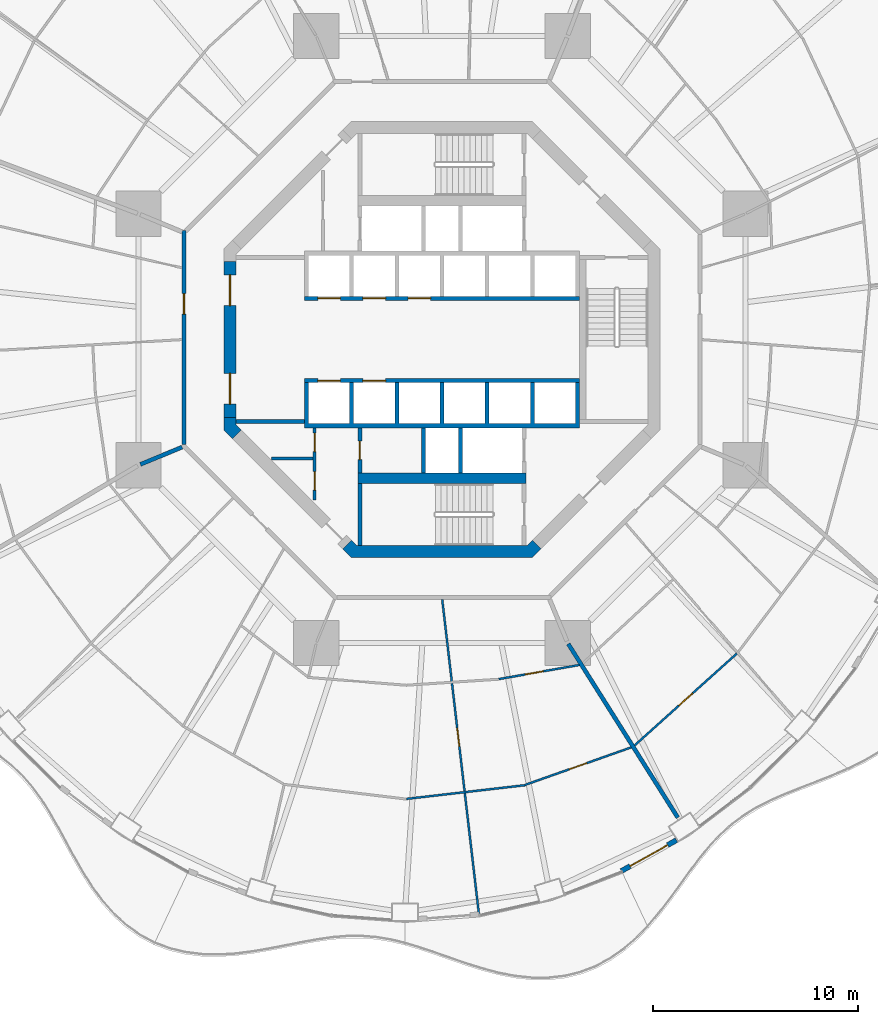
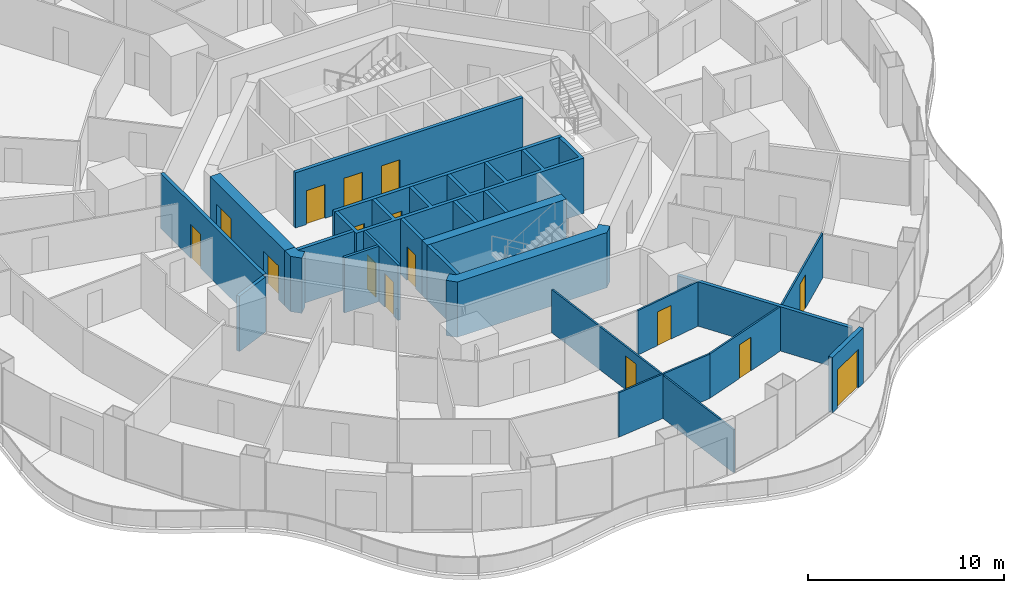
# One storey, part 15 of 22: 23 walls, 16 doors, 16 openings.
"""IFC4 building model written with IfcOpenShell, lengths in metres."""

import ifcopenshell
import ifcopenshell.guid

model = None  # the IFC model being written
_history = None  # IfcOwnerHistory: only IFC2X3 demands one
_inside = {}  # id of a spatial element -> (the spatial element, [elements in it])
_under = {}  # id of a project, library or spatial element -> (it, [spatial elements below it])
_declared = {}  # id of a project -> (the project, [libraries it declares])
_typed = {}  # id of a type object -> (the type object, [elements of that type])
_made_of = {}  # id of a material, layer set ... -> (it, [elements and type objects made of it])


def new_model(schema):
    """Start an empty IFC model of exactly this schema.

    Asked for "IFC4X3", IfcOpenShell would pick the latest addendum, in which some entities
    have other attributes; the version numbers below select the first issue.
    IFC2X3 requires an IfcOwnerHistory on every rooted entity: one is made here for all.
    """
    global model, _history
    if schema == "IFC4X3":
        model = ifcopenshell.file(schema_version=(4, 3, 0, 0))
    else:
        model = ifcopenshell.file(schema=schema)
    _inside.clear()
    _under.clear()
    _declared.clear()
    _typed.clear()
    _made_of.clear()
    _history = None
    if model.schema == "IFC2X3":
        org = make("IfcOrganization", Name="unknown")
        user = make(
            "IfcPersonAndOrganization",
            ThePerson=make("IfcPerson", FamilyName="unknown"),
            TheOrganization=org,
        )
        app = make(
            "IfcApplication",
            ApplicationDeveloper=org,
            Version="unknown",
            ApplicationFullName="unknown",
            ApplicationIdentifier="unknown",
        )
        _history = make(
            "IfcOwnerHistory",
            OwningUser=user,
            OwningApplication=app,
            ChangeAction="ADDED",
            CreationDate=0,
        )
    return model


def make(cls, **values):
    """One entity of the class cls with the attributes given. An attribute that is None is left unset."""
    return model.create_entity(
        cls, **{name: value for name, value in values.items() if value is not None}
    )


def rooted(cls, **values):
    """An entity with a GlobalId (a new one), such as an element, a storey or a relation."""
    return make(cls, GlobalId=ifcopenshell.guid.new(), OwnerHistory=_history, **values)


def si_unit(unit_type, name, prefix=None):
    """IfcSIUnit, for example si_unit("LENGTHUNIT", "METRE", prefix="MILLI")."""
    return make("IfcSIUnit", UnitType=unit_type, Prefix=prefix, Name=name)


def assignment(units):
    """IfcUnitAssignment: the units of a project."""
    return None if units is None else make("IfcUnitAssignment", Units=units)


def point(xyz):
    """IfcCartesianPoint."""
    return None if xyz is None else make("IfcCartesianPoint", Coordinates=xyz)


def direction(xyz):
    """IfcDirection."""
    return None if xyz is None else make("IfcDirection", DirectionRatios=xyz)


def frame(location, z_axis=None, x_axis=None):
    """IfcAxis2Placement3D, a coordinate frame: its origin and axes. An axis left out is left unset."""
    return make(
        "IfcAxis2Placement3D",
        Location=point(location),
        Axis=direction(z_axis),
        RefDirection=direction(x_axis),
    )


def frame_2d(location, x_axis=None):
    """IfcAxis2Placement2D, a coordinate frame in the plane: its origin and x axis."""
    return make(
        "IfcAxis2Placement2D", Location=point(location), RefDirection=direction(x_axis)
    )


def origin():
    """The frame at (0, 0, 0) with its axes left unset."""
    return frame((0.0, 0.0, 0.0))


def place(relative_to, where):
    """IfcLocalPlacement: puts the frame where relative to a parent placement (None: the world)."""
    return make(
        "IfcLocalPlacement", PlacementRelTo=relative_to, RelativePlacement=where
    )


def context(
    kind, dimensions, precision=None, world=None, true_north=None, identifier=None
):
    """IfcGeometricRepresentationContext, for example the 3D "Model" context."""
    return make(
        "IfcGeometricRepresentationContext",
        ContextIdentifier=identifier,
        ContextType=kind,
        CoordinateSpaceDimension=dimensions,
        Precision=precision,
        WorldCoordinateSystem=world,
        TrueNorth=true_north,
    )


def subcontext(parent, identifier, kind, view, scale=None):
    """IfcGeometricRepresentationSubContext, for example "Body" below "Model"."""
    return make(
        "IfcGeometricRepresentationSubContext",
        ContextIdentifier=identifier,
        ContextType=kind,
        ParentContext=parent,
        TargetScale=scale,
        TargetView=view,
    )


def project(units=None, contexts=None):
    """IfcProject with its units and contexts."""
    return rooted(
        "IfcProject",
        Name="project",
        RepresentationContexts=contexts,
        UnitsInContext=assignment(units),
    )


def spatial(cls, under=None, at=None, **own):
    """A site, building, storey or space (cls), placed at a placement, below another one or the project."""
    s = rooted(cls, ObjectPlacement=at, **own)
    if under is not None:
        _under.setdefault(under.id(), (under, []))[1].append(s)
    return s


def polyline(points):
    """IfcPolyline through the points."""
    return make("IfcPolyline", Points=[point(p) for p in points])


def profile(cls, at=None, kind="AREA", **sizes):
    """A parametric profile (cls). Its sizes go by their IFC names, for example OverallWidth=200.0."""
    return make(cls, ProfileType=kind, Position=at, **sizes)


def rectangle(**sizes):
    """IfcRectangleProfileDef."""
    return profile("IfcRectangleProfileDef", **sizes)


def outline(outer, holes=None, kind="AREA"):
    """IfcArbitraryClosedProfileDef: a profile drawn as a closed curve; with holes, ...WithVoids."""
    if holes is None:
        return make("IfcArbitraryClosedProfileDef", ProfileType=kind, OuterCurve=outer)
    return make(
        "IfcArbitraryProfileDefWithVoids",
        ProfileType=kind,
        OuterCurve=outer,
        InnerCurves=holes,
    )


def extrude(swept, where, along, depth):
    """IfcExtrudedAreaSolid: the profile swept, set in the frame where, extruded along a direction by depth."""
    return make(
        "IfcExtrudedAreaSolid",
        SweptArea=swept,
        Position=where,
        ExtrudedDirection=direction(along),
        Depth=depth,
    )


def shape(context_of_items, identifier, shape_type, items):
    """IfcShapeRepresentation: the items that make up one representation, for example the "Body"."""
    return make(
        "IfcShapeRepresentation",
        ContextOfItems=context_of_items,
        RepresentationIdentifier=identifier,
        RepresentationType=shape_type,
        Items=items,
    )


def material(Name=None, Category=None):
    """IfcMaterial."""
    return make("IfcMaterial", Name=Name, Category=Category)


def layer(
    of_material, thickness, ventilated=None, Name=None, Category=None, Priority=None
):
    """IfcMaterialLayer: one layer of a wall or slab, of a material (None: an air gap)."""
    return make(
        "IfcMaterialLayer",
        Material=of_material,
        LayerThickness=thickness,
        IsVentilated=ventilated,
        Name=Name,
        Category=Category,
        Priority=Priority,
    )


def layer_set(layers, Name=None):
    """IfcMaterialLayerSet."""
    return make("IfcMaterialLayerSet", MaterialLayers=layers, LayerSetName=Name)


def made_of(thing, what):
    """Note that an element or type object is made of a material, layer set ...; save() writes the relation."""
    if what is not None:
        _made_of.setdefault(what.id(), (what, []))[1].append(thing)
    return thing


def type_object(cls, material=None, **own):
    """A type object (cls), such as IfcWallType, which elements share."""
    return made_of(rooted(cls, **own), material)


def element(
    cls,
    number,
    at=None,
    inside=None,
    cuts=None,
    type_object=None,
    material=None,
    context=None,
    identifier="Body",
    shape_type=None,
    held_by="IfcProductDefinitionShape",
    body=None,
    shapes=None,
    **own,
):
    """One element of the class cls, such as IfcWall. Its Tag is "e" and its number.

    at: its placement. inside: the storey or other place that contains it. cuts: it is an
    opening in that element (IfcRelVoidsElement). A single representation is given by context,
    identifier, shape_type and body (its items); several are given by shapes. held_by: the class
    of the entity that holds the representations. save() writes the other relations.
    """
    e = rooted(cls, Tag="e%d" % number, ObjectPlacement=at, **own)
    if body is not None:
        shapes = [shape(context, identifier, shape_type, body)]
    if shapes is not None:
        e.Representation = make(held_by, Representations=shapes)
    if inside is not None:
        _inside.setdefault(inside.id(), (inside, []))[1].append(e)
    if cuts is not None:
        rooted(
            "IfcRelVoidsElement", RelatingBuildingElement=cuts, RelatedOpeningElement=e
        )
    if type_object is not None:
        _typed.setdefault(type_object.id(), (type_object, []))[1].append(e)
    return made_of(e, material)


def fill(opening, filler):
    """IfcRelFillsElement: the door or window that sits in an opening."""
    return rooted(
        "IfcRelFillsElement",
        RelatingOpeningElement=opening,
        RelatedBuildingElement=filler,
    )


def aggregate(whole, parts):
    """IfcRelAggregates: a whole, such as a stair, and the parts it consists of."""
    return rooted("IfcRelAggregates", RelatingObject=whole, RelatedObjects=parts)


def save(model, path):
    """Write the relations noted so far, then the file.

    IfcRelAggregates (storeys below a building ...), IfcRelContainedInSpatialStructure (elements
    in a storey), IfcRelDefinesByType, IfcRelAssociatesMaterial and IfcRelDeclares: one each for
    every whole, place, type object, material and project.
    """
    for whole, parts in _under.values():
        aggregate(whole, parts)
    for where, things in _inside.values():
        rooted(
            "IfcRelContainedInSpatialStructure",
            RelatedElements=things,
            RelatingStructure=where,
        )
    for kind, things in _typed.values():
        rooted("IfcRelDefinesByType", RelatedObjects=things, RelatingType=kind)
    for what, things in _made_of.values():
        rooted("IfcRelAssociatesMaterial", RelatedObjects=things, RelatingMaterial=what)
    for by, libraries in _declared.values():
        rooted("IfcRelDeclares", RelatingContext=by, RelatedDefinitions=libraries)
    model.write(path)


model = new_model("IFC4")

# Units and contexts
model_context = context("Model", 3, precision=1e-05, world=origin(), true_north=direction((0.0, 1.0)))
body_context = subcontext(model_context, "Body", "Model", "MODEL_VIEW")
ifc_project = project(units=[si_unit("LENGTHUNIT", "METRE"), si_unit("AREAUNIT", "SQUARE_METRE"), si_unit("VOLUMEUNIT", "CUBIC_METRE"), si_unit("PLANEANGLEUNIT", "RADIAN"), si_unit("MASSUNIT", "GRAM", prefix="KILO")], contexts=[model_context])

# Site, building, storey
site_placement = place(None, origin())
site = spatial("IfcSite", under=ifc_project, at=site_placement, CompositionType="ELEMENT")
building_placement = place(site_placement, origin())
building = spatial("IfcBuilding", under=site, at=building_placement, Name="Nagisa Residences", CompositionType="ELEMENT")
storey_placement = place(building_placement, frame((0.0, 0.0, 88.10009765625)))
storey = spatial("IfcBuildingStorey", under=building, at=storey_placement, Name="L21", CompositionType="ELEMENT", Elevation=88.10009765625)

# Walls
ifc_material_1 = material(Name="Gypsum board on steel studs", Category="steel")
ifc_layer_1 = layer(ifc_material_1, 0.199951171875)
ifc_layer_set_1 = layer_set([ifc_layer_1], Name="Apartment compartment wall EI60 200")
wall_type_1 = type_object("IfcWallType", Name="Apartment compartment wall EI60 200", PredefinedType="PARTITIONING", material=ifc_layer_set_1)
wall_1_placement = place(storey_placement, frame((-12.6572265625, -5.24267578125, 0.0), z_axis=(0.0, 0.0, 1.0), x_axis=(-0.923876145736, -0.382691608661, 0.0)))
element("IfcWall", 1, at=wall_1_placement, inside=storey, type_object=wall_type_1, Name="wall:L21:u04", PredefinedType="PARTITIONING", context=body_context, shape_type="SweptSolid", body=[
    extrude(rectangle(XDim=2.19970703125, YDim=0.199951171875, at=frame_2d((1.099853515625, 0.0))), origin(), (0.0, 0.0, 1.0), 3.43994140625),
])
wall_2_placement = place(storey_placement, frame((6.149658203125, -14.824462890625, 0.0), z_axis=(0.0, 0.0, 1.0), x_axis=(0.533492589682, -0.845804739142, 0.0)))
element("IfcWall", 2, at=wall_2_placement, inside=storey, type_object=wall_type_1, Name="wall:L21:u07", PredefinedType="PARTITIONING", context=body_context, shape_type="SweptSolid", body=[
    extrude(rectangle(XDim=10.006103515625, YDim=0.199951171875, at=frame_2d((5.0029296875, 0.0))), origin(), (0.0, 0.0, 1.0), 2.761962890625),
])

# Wall, opening, door
ifc_material_2 = material(Name="Gypsum board on steel studs", Category="steel")
ifc_layer_2 = layer(ifc_material_2, 0.199951171875)
ifc_layer_set_2 = layer_set([ifc_layer_2], Name="Apartment entry wall EI60 200")
wall_type_2 = type_object("IfcWallType", Name="Apartment entry wall EI60 200", PredefinedType="PARTITIONING", material=ifc_layer_set_2)
wall_3_placement = place(storey_placement, frame((-12.564697265625, 5.304443359375, 0.0), z_axis=(0.0, 0.0, 1.0), x_axis=(0.0, -1.0, 0.0)))
wall_3 = element("IfcWall", 3, at=wall_3_placement, inside=storey, type_object=wall_type_2, Name="wall:L21:u14", PredefinedType="PARTITIONING", context=body_context, shape_type="SweptSolid", body=[
    extrude(rectangle(XDim=10.408935546875, YDim=0.199951171875, at=frame_2d((5.20458984375, 0.0))), origin(), (0.0, 0.0, 1.0), 3.43994140625),
])
opening_1_placement = place(wall_3_placement, frame((3.069580078125, 0.0, 0.0)))
opening_1 = element("IfcOpeningElement", 4, at=opening_1_placement, cuts=wall_3, Name="Opening L21-U17", PredefinedType="OPENING", context=body_context, shape_type="SweptSolid", body=[
    extrude(rectangle(XDim=1.0, YDim=2.10009765625, at=frame_2d((0.5, 1.050048828125))), frame((0.0, 0.10986328125, 0.0), z_axis=(0.0, -1.0, 0.0), x_axis=(1.0, 0.0, 0.0)), (0.0, 0.0, 1.0), 0.219970703125),
])
ifc_material_3 = material(Name="Timber fire door set", Category="wood")
door_type_1 = type_object("IfcDoorType", Name="Apartment entry door FD30S 1000x2100", OperationType="NOTDEFINED", PredefinedType="DOOR", material=ifc_material_3)
door_1_placement = place(opening_1_placement, frame((1.0, 0.0, 0.0), x_axis=(-1.0, 0.0, 0.0)))
door_1 = element("IfcDoor", 5, at=door_1_placement, inside=storey, type_object=door_type_1, Name="Entry door, Apartment 21B", OperationType="SINGLE_SWING_RIGHT", OverallHeight=2.10009765625, OverallWidth=1.0, PredefinedType="DOOR", context=body_context, shape_type="SweptSolid", body=[
    extrude(rectangle(XDim=1.0, YDim=2.10009765625, at=frame_2d((0.5, 1.050048828125))), frame((0.0, 0.02490234375, 0.0), z_axis=(0.0, -1.0, 0.0), x_axis=(1.0, 0.0, 0.0)), (0.0, 0.0, 1.0), 0.050048828125),
])
fill(opening_1, door_1)

# Wall
ifc_material_4 = material(Name="Gypsum board on steel studs", Category="steel")
ifc_layer_3 = layer(ifc_material_4, 0.10009765625)
ifc_layer_set_3 = layer_set([ifc_layer_3], Name="Apartment partition 100")
wall_type_3 = type_object("IfcWallType", Name="Apartment partition 100", PredefinedType="PARTITIONING", material=ifc_layer_set_3)
wall_4_placement = place(storey_placement, frame((-1.7255859375, -22.375244140625, 0.0), z_axis=(0.0, 0.0, 1.0), x_axis=(0.993392336919, 0.114767874207, 0.0)))
element("IfcWall", 6, at=wall_4_placement, inside=storey, type_object=wall_type_3, Name="wall:L21:u79", PredefinedType="PARTITIONING", context=body_context, shape_type="SweptSolid", body=[
    extrude(rectangle(XDim=5.801025390625, YDim=0.10009765625, at=frame_2d((2.900390625, 0.0))), origin(), (0.0, 0.0, 1.0), 2.761962890625),
])

# Wall, opening, door
wall_5_placement = place(storey_placement, frame((0.011474609375, -12.6640625, 0.0), z_axis=(0.0, 0.0, 1.0), x_axis=(0.115841404661, -0.993267722704, 0.0)))
wall_5 = element("IfcWall", 7, at=wall_5_placement, inside=storey, type_object=wall_type_3, Name="wall:L21:u80", PredefinedType="PARTITIONING", context=body_context, shape_type="SweptSolid", body=[
    extrude(rectangle(XDim=15.5283203125, YDim=0.10009765625, at=frame_2d((7.76416015625, 0.0))), origin(), (0.0, 0.0, 1.0), 2.68701171875),
])
opening_2_placement = place(wall_5_placement, frame((6.302734375, 0.0, 0.0)))
opening_2 = element("IfcOpeningElement", 8, at=opening_2_placement, cuts=wall_5, Name="Opening L21-U33", PredefinedType="OPENING", context=body_context, shape_type="SweptSolid", body=[
    extrude(rectangle(XDim=0.89990234375, YDim=2.10009765625, at=frame_2d((0.449951171875, 1.050048828125))), frame((0.0, 0.06005859375, 0.0), z_axis=(0.0, -1.0, 0.0), x_axis=(1.0, 0.0, 0.0)), (0.0, 0.0, 1.0), 0.1201171875),
])
ifc_material_5 = material(Name="Timber door set", Category="wood")
door_type_2 = type_object("IfcDoorType", Name="Apartment door 900x2100", OperationType="NOTDEFINED", PredefinedType="DOOR", material=ifc_material_5)
door_2_placement = place(opening_2_placement, origin())
door_2 = element("IfcDoor", 9, at=door_2_placement, inside=storey, type_object=door_type_2, Name="Door to kitchen, Apartment 21C", OperationType="SINGLE_SWING_LEFT", OverallHeight=2.10009765625, OverallWidth=0.89990234375, PredefinedType="DOOR", context=body_context, shape_type="SweptSolid", body=[
    extrude(rectangle(XDim=0.89990234375, YDim=2.10009765625, at=frame_2d((0.449951171875, 1.050048828125))), frame((0.0, 0.02490234375, 0.0), z_axis=(0.0, -1.0, 0.0), x_axis=(1.0, 0.0, 0.0)), (0.0, 0.0, 1.0), 0.050048828125),
])
fill(opening_2, door_2)

wall_6_placement = place(storey_placement, frame((2.76513671875, -16.541015625, 0.0), z_axis=(0.0, 0.0, 1.0), x_axis=(0.984998714702, 0.172561676036, 0.0)))
wall_6 = element("IfcWall", 10, at=wall_6_placement, inside=storey, type_object=wall_type_3, Name="wall:L21:u81", PredefinedType="PARTITIONING", context=body_context, shape_type="SweptSolid", body=[
    extrude(rectangle(XDim=3.984130859375, YDim=0.10009765625, at=frame_2d((1.9921875, 0.0))), origin(), (0.0, 0.0, 1.0), 2.761962890625),
])
opening_3_placement = place(wall_6_placement, frame((1.3037109375, 0.0, 0.0)))
opening_3 = element("IfcOpeningElement", 11, at=opening_3_placement, cuts=wall_6, Name="Opening L21-U36", PredefinedType="OPENING", context=body_context, shape_type="SweptSolid", body=[
    extrude(rectangle(XDim=0.89990234375, YDim=2.10009765625, at=frame_2d((0.449951171875, 1.050048828125))), frame((0.0, 0.06005859375, 0.0), z_axis=(0.0, -1.0, 0.0), x_axis=(1.0, 0.0, 0.0)), (0.0, 0.0, 1.0), 0.1201171875),
])
door_3_placement = place(opening_3_placement, origin())
door_3 = element("IfcDoor", 12, at=door_3_placement, inside=storey, type_object=door_type_2, Name="Door to laundry, Apartment 21C", OperationType="SINGLE_SWING_RIGHT", OverallHeight=2.10009765625, OverallWidth=0.89990234375, PredefinedType="DOOR", context=body_context, shape_type="SweptSolid", body=[
    extrude(rectangle(XDim=0.89990234375, YDim=2.10009765625, at=frame_2d((0.449951171875, 1.050048828125))), frame((0.0, 0.02490234375, 0.0), z_axis=(0.0, -1.0, 0.0), x_axis=(1.0, 0.0, 0.0)), (0.0, 0.0, 1.0), 0.050048828125),
])
fill(opening_3, door_3)

wall_7_placement = place(storey_placement, frame((4.034423828125, -21.698486328125, 0.0), z_axis=(0.0, 0.0, 1.0), x_axis=(0.942861482644, 0.33318497047, 0.0)))
wall_7 = element("IfcWall", 13, at=wall_7_placement, inside=storey, type_object=wall_type_3, Name="wall:L21:u82", PredefinedType="PARTITIONING", context=body_context, shape_type="SweptSolid", body=[
    extrude(rectangle(XDim=5.494873046875, YDim=0.10009765625, at=frame_2d((2.74755859375, 0.0))), origin(), (0.0, 0.0, 1.0), 2.761962890625),
])
opening_4_placement = place(wall_7_placement, frame((2.29736328125, 0.0, 0.0)))
opening_4 = element("IfcOpeningElement", 14, at=opening_4_placement, cuts=wall_7, Name="Opening L21-U34", PredefinedType="OPENING", context=body_context, shape_type="SweptSolid", body=[
    extrude(rectangle(XDim=0.89990234375, YDim=2.10009765625, at=frame_2d((0.449951171875, 1.050048828125))), frame((0.0, 0.06005859375, 0.0), z_axis=(0.0, -1.0, 0.0), x_axis=(1.0, 0.0, 0.0)), (0.0, 0.0, 1.0), 0.1201171875),
])
door_4_placement = place(opening_4_placement, frame((0.89990234375, 0.0, 0.0), x_axis=(-1.0, 0.0, 0.0)))
door_4 = element("IfcDoor", 15, at=door_4_placement, inside=storey, type_object=door_type_2, Name="Door to family room, Apartment 21C", OperationType="SINGLE_SWING_LEFT", OverallHeight=2.10009765625, OverallWidth=0.89990234375, PredefinedType="DOOR", context=body_context, shape_type="SweptSolid", body=[
    extrude(rectangle(XDim=0.89990234375, YDim=2.10009765625, at=frame_2d((0.449951171875, 1.050048828125))), frame((0.0, 0.02490234375, 0.0), z_axis=(0.0, -1.0, 0.0), x_axis=(1.0, 0.0, 0.0)), (0.0, 0.0, 1.0), 0.050048828125),
])
fill(opening_4, door_4)

wall_8_placement = place(storey_placement, frame((9.384033203125, -19.767578125, 0.0), z_axis=(0.0, 0.0, 1.0), x_axis=(0.74387407395, 0.668319805262, 0.0)))
wall_8 = element("IfcWall", 16, at=wall_8_placement, inside=storey, type_object=wall_type_3, Name="wall:L21:u84", PredefinedType="PARTITIONING", context=body_context, shape_type="SweptSolid", body=[
    extrude(rectangle(XDim=6.6953125, YDim=0.10009765625, at=frame_2d((3.34765625, 0.0))), origin(), (0.0, 0.0, 1.0), 2.761962890625),
])
opening_5_placement = place(wall_8_placement, frame((2.897705078125, 0.0, 0.0)))
opening_5 = element("IfcOpeningElement", 17, at=opening_5_placement, cuts=wall_8, Name="Opening L21-U42", PredefinedType="OPENING", context=body_context, shape_type="SweptSolid", body=[
    extrude(rectangle(XDim=0.89990234375, YDim=2.10009765625, at=frame_2d((0.449951171875, 1.050048828125))), frame((0.0, 0.06005859375, 0.0), z_axis=(0.0, -1.0, 0.0), x_axis=(1.0, 0.0, 0.0)), (0.0, 0.0, 1.0), 0.1201171875),
])
door_5_placement = place(opening_5_placement, frame((0.89990234375, 0.0, 0.0), x_axis=(-1.0, 0.0, 0.0)))
door_5 = element("IfcDoor", 18, at=door_5_placement, inside=storey, type_object=door_type_2, Name="Door to family room, Apartment 21D", OperationType="SINGLE_SWING_LEFT", OverallHeight=2.10009765625, OverallWidth=0.89990234375, PredefinedType="DOOR", context=body_context, shape_type="SweptSolid", body=[
    extrude(rectangle(XDim=0.89990234375, YDim=2.10009765625, at=frame_2d((0.449951171875, 1.050048828125))), frame((0.0, 0.02490234375, 0.0), z_axis=(0.0, -1.0, 0.0), x_axis=(1.0, 0.0, 0.0)), (0.0, 0.0, 1.0), 0.050048828125),
])
fill(opening_5, door_5)

ifc_material_6 = material(Name="Precast concrete C40/50", Category="concrete")
ifc_layer_4 = layer(ifc_material_6, 0.25)
ifc_layer_set_4 = layer_set([ifc_layer_4], Name="BALCONY DOOR WALL 250")
wall_type_4 = type_object("IfcWallType", Name="BALCONY DOOR WALL 250", PredefinedType="SOLIDWALL", material=ifc_layer_set_4)
wall_9_placement = place(storey_placement, frame((11.41943359375, -24.38427734375, 0.0), z_axis=(0.0, 0.0, 1.0), x_axis=(-0.872071158476, -0.489379090843, 0.0)))
wall_9 = element("IfcWall", 19, at=wall_9_placement, inside=storey, type_object=wall_type_4, Name="wall:L21:bay39", PredefinedType="SOLIDWALL", context=body_context, shape_type="SweptSolid", body=[
    extrude(rectangle(XDim=3.07568359375, YDim=0.25, at=frame_2d((1.537841796875, 0.0))), origin(), (0.0, 0.0, 1.0), 3.43994140625),
])
opening_6_placement = place(wall_9_placement, frame((0.48779296875, 0.0, 0.0)))
opening_6 = element("IfcOpeningElement", 20, at=opening_6_placement, cuts=wall_9, Name="Opening BD-L21-14", PredefinedType="OPENING", context=body_context, shape_type="SweptSolid", body=[
    extrude(rectangle(XDim=2.10009765625, YDim=2.39990234375, at=frame_2d((1.050048828125, 1.199951171875))), frame((0.0, 0.135009765625, 0.0), z_axis=(0.0, -1.0, 0.0), x_axis=(1.0, 0.0, 0.0)), (0.0, 0.0, 1.0), 0.27001953125),
])
ifc_material_7 = material(Name="Aluminium and clear glass", Category="aluminium")
door_type_3 = type_object("IfcDoorType", Name="BALCONY SLIDING DOOR 2100x2400", OperationType="SLIDING_TO_LEFT", PredefinedType="DOOR", material=ifc_material_7)
door_6_placement = place(opening_6_placement, origin())
door_6 = element("IfcDoor", 21, at=door_6_placement, inside=storey, type_object=door_type_3, Name="door:L21:bay39", OperationType="SLIDING_TO_LEFT", OverallHeight=2.39990234375, OverallWidth=2.10009765625, PredefinedType="DOOR", context=body_context, shape_type="SweptSolid", body=[
    extrude(rectangle(XDim=2.10009765625, YDim=2.39990234375, at=frame_2d((1.050048828125, 1.199951171875))), frame((0.0, 0.02490234375, 0.0), z_axis=(0.0, -1.0, 0.0), x_axis=(1.0, 0.0, 0.0)), (0.0, 0.0, 1.0), 0.050048828125),
])
fill(opening_6, door_6)

# Wall, openings, doors
ifc_material_8 = material(Name="Gypsum board on steel studs", Category="steel")
ifc_layer_5 = layer(ifc_material_8, 0.14990234375)
ifc_layer_set_5 = layer_set([ifc_layer_5], Name="Core partition 150")
wall_type_5 = type_object("IfcWallType", Name="Core partition 150", PredefinedType="PARTITIONING", material=ifc_layer_set_5)
wall_10_placement = place(storey_placement, frame((-6.199951171875, -7.826904296875, 0.0), z_axis=(0.0, 0.0, 1.0), x_axis=(0.0, 1.0, 0.0)))
wall_10 = element("IfcWall", 22, at=wall_10_placement, inside=storey, type_object=wall_type_5, Name="wall:L21:SWp", PredefinedType="PARTITIONING", context=body_context, shape_type="SweptSolid", body=[
    extrude(rectangle(XDim=3.52685546875, YDim=0.14990234375, at=frame_2d((1.763427734375, 0.0))), origin(), (0.0, 0.0, 1.0), 3.43994140625),
])
opening_7_placement = place(wall_10_placement, frame((2.364501953125, 0.0, 0.0)))
opening_7 = element("IfcOpeningElement", 23, at=opening_7_placement, cuts=wall_10, Name="Opening L21-C13", PredefinedType="OPENING", context=body_context, shape_type="SweptSolid", body=[
    extrude(rectangle(XDim=0.89990234375, YDim=2.10009765625, at=frame_2d((0.449951171875, 1.050048828125))), frame((0.0, 0.0849609375, 0.0), z_axis=(0.0, -1.0, 0.0), x_axis=(1.0, 0.0, 0.0)), (0.0, 0.0, 1.0), 0.169921875),
])
opening_8_placement = place(wall_10_placement, frame((0.488525390625, 0.0, 0.0)))
opening_8 = element("IfcOpeningElement", 24, at=opening_8_placement, cuts=wall_10, Name="Opening L21-C14", PredefinedType="OPENING", context=body_context, shape_type="SweptSolid", body=[
    extrude(rectangle(XDim=0.89990234375, YDim=2.10009765625, at=frame_2d((0.449951171875, 1.050048828125))), frame((0.0, 0.0849609375, 0.0), z_axis=(0.0, -1.0, 0.0), x_axis=(1.0, 0.0, 0.0)), (0.0, 0.0, 1.0), 0.169921875),
])
ifc_material_9 = material(Name="Steel fire door", Category="steel")
door_type_4 = type_object("IfcDoorType", Name="Fire door EI30 900x2100 single swing", OperationType="NOTDEFINED", PredefinedType="DOOR", material=ifc_material_9)
door_7_placement = place(opening_7_placement, origin())
door_7 = element("IfcDoor", 25, at=door_7_placement, inside=storey, type_object=door_type_4, Name="Cleaner store door L21", OperationType="SINGLE_SWING_RIGHT", OverallHeight=2.10009765625, OverallWidth=0.89990234375, PredefinedType="DOOR", context=body_context, shape_type="SweptSolid", body=[
    extrude(rectangle(XDim=0.89990234375, YDim=2.10009765625, at=frame_2d((0.449951171875, 1.050048828125))), frame((0.0, 0.02490234375, 0.0), z_axis=(0.0, -1.0, 0.0), x_axis=(1.0, 0.0, 0.0)), (0.0, 0.0, 1.0), 0.050048828125),
])
fill(opening_7, door_7)
door_8_placement = place(opening_8_placement, origin())
door_8 = element("IfcDoor", 26, at=door_8_placement, inside=storey, type_object=door_type_4, Name="Package room door L21", OperationType="SINGLE_SWING_RIGHT", OverallHeight=2.10009765625, OverallWidth=0.89990234375, PredefinedType="DOOR", context=body_context, shape_type="SweptSolid", body=[
    extrude(rectangle(XDim=0.89990234375, YDim=2.10009765625, at=frame_2d((0.449951171875, 1.050048828125))), frame((0.0, 0.02490234375, 0.0), z_axis=(0.0, -1.0, 0.0), x_axis=(1.0, 0.0, 0.0)), (0.0, 0.0, 1.0), 0.050048828125),
])
fill(opening_8, door_8)

# Walls
wall_11_placement = place(storey_placement, frame((-8.301025390625, -5.800048828125, 0.0), z_axis=(0.0, 0.0, 1.0), x_axis=(1.0, 0.0, 0.0)))
element("IfcWall", 27, at=wall_11_placement, inside=storey, type_object=wall_type_5, Name="wall:L21:SWq", PredefinedType="PARTITIONING", context=body_context, shape_type="SweptSolid", body=[
    extrude(rectangle(XDim=2.026123046875, YDim=0.14990234375, at=frame_2d((1.01318359375, 0.0))), origin(), (0.0, 0.0, 1.0), 3.43994140625),
])
ifc_material_10 = material(Name="Gypsum board on steel studs", Category="steel")
ifc_layer_6 = layer(ifc_material_10, 0.199951171875)
ifc_layer_set_6 = layer_set([ifc_layer_6], Name="Core partition 200")
wall_type_6 = type_object("IfcWallType", Name="Core partition 200", PredefinedType="PARTITIONING", material=ifc_layer_set_6)
wall_12_placement = place(storey_placement, frame((-10.024658203125, -4.0, 0.0), z_axis=(0.0, 0.0, 1.0), x_axis=(1.0, 0.0, 0.0)))
element("IfcWall", 28, at=wall_12_placement, inside=storey, type_object=wall_type_6, Name="wall:L21:PSW", PredefinedType="PARTITIONING", context=body_context, shape_type="SweptSolid", body=[
    extrude(rectangle(XDim=3.32470703125, YDim=0.199951171875, at=frame_2d((1.662353515625, 0.0))), origin(), (0.0, 0.0, 1.0), 3.43994140625),
])

# Wall, openings, doors
ifc_material_11 = material(Name="Concrete C60", Category="concrete")
ifc_layer_7 = layer(ifc_material_11, 0.60009765625)
ifc_layer_set_7 = layer_set([ifc_layer_7], Name="Core shear wall 600")
wall_type_7 = type_object("IfcWallType", Name="Core shear wall 600", PredefinedType="SHEAR", material=ifc_layer_set_7)
wall_13_placement = place(storey_placement, frame((-10.32470703125, 3.80078125, 0.0), z_axis=(0.0, 0.0, 1.0), x_axis=(0.0, -1.0, 0.0)))
wall_13 = element("IfcWall", 29, at=wall_13_placement, inside=storey, type_object=wall_type_7, Name="wall:L21:core:flat4", PredefinedType="SHEAR", context=body_context, shape_type="SweptSolid", body=[
    extrude(rectangle(XDim=7.6015625, YDim=0.60009765625, at=frame_2d((3.80078125, 0.0))), origin(), (0.0, 0.0, 1.0), 3.43994140625),
])
opening_9_placement = place(wall_13_placement, frame((0.65087890625, 0.0, 0.0)))
opening_9 = element("IfcOpeningElement", 30, at=opening_9_placement, cuts=wall_13, Name="Opening L21-C18", PredefinedType="OPENING", context=body_context, shape_type="SweptSolid", body=[
    extrude(rectangle(XDim=1.5, YDim=2.10009765625, at=frame_2d((0.75, 1.050048828125))), frame((0.0, 0.31005859375, 0.0), z_axis=(0.0, -1.0, 0.0), x_axis=(1.0, 0.0, 0.0)), (0.0, 0.0, 1.0), 0.6201171875),
])
opening_10_placement = place(wall_13_placement, frame((5.450927734375, 0.0, 0.0)))
opening_10 = element("IfcOpeningElement", 31, at=opening_10_placement, cuts=wall_13, Name="Opening L21-C19", PredefinedType="OPENING", context=body_context, shape_type="SweptSolid", body=[
    extrude(rectangle(XDim=1.5, YDim=2.10009765625, at=frame_2d((0.75, 1.050048828125))), frame((0.0, 0.31005859375, 0.0), z_axis=(0.0, -1.0, 0.0), x_axis=(1.0, 0.0, 0.0)), (0.0, 0.0, 1.0), 0.6201171875),
])
ifc_material_12 = material(Name="Steel fire door", Category="steel")
door_type_5 = type_object("IfcDoorType", Name="Fire door EI60 1500x2100 double door single swing", OperationType="DOUBLE_DOOR_SINGLE_SWING", PredefinedType="DOOR", material=ifc_material_12)
door_9_placement = place(opening_9_placement, origin())
door_9 = element("IfcDoor", 32, at=door_9_placement, inside=storey, type_object=door_type_5, Name="Lift lobby door L21 1", OperationType="DOUBLE_DOOR_SINGLE_SWING", OverallHeight=2.10009765625, OverallWidth=1.5, PredefinedType="DOOR", context=body_context, shape_type="SweptSolid", body=[
    extrude(rectangle(XDim=1.5, YDim=2.10009765625, at=frame_2d((0.75, 1.050048828125))), frame((0.0, 0.02490234375, 0.0), z_axis=(0.0, -1.0, 0.0), x_axis=(1.0, 0.0, 0.0)), (0.0, 0.0, 1.0), 0.050048828125),
])
fill(opening_9, door_9)
door_10_placement = place(opening_10_placement, origin())
door_10 = element("IfcDoor", 33, at=door_10_placement, inside=storey, type_object=door_type_5, Name="Lift lobby door L21 2", OperationType="DOUBLE_DOOR_SINGLE_SWING", OverallHeight=2.10009765625, OverallWidth=1.5, PredefinedType="DOOR", context=body_context, shape_type="SweptSolid", body=[
    extrude(rectangle(XDim=1.5, YDim=2.10009765625, at=frame_2d((0.75, 1.050048828125))), frame((0.0, 0.02490234375, 0.0), z_axis=(0.0, -1.0, 0.0), x_axis=(1.0, 0.0, 0.0)), (0.0, 0.0, 1.0), 0.050048828125),
])
fill(opening_10, door_10)

# Walls
wall_14_placement = place(storey_placement, origin())
element("IfcWall", 34, at=wall_14_placement, inside=storey, type_object=wall_type_7, Name="wall:L21:core:pier4", PredefinedType="SHEAR", context=body_context, shape_type="SweptSolid", body=[
    extrude(outline(polyline([(-10.62451171875, -3.80078125), (-10.024658203125, -3.80078125), (-10.024658203125, -4.15234375), (-9.776123046875, -4.40087890625), (-10.200439453125, -4.8251953125), (-10.62451171875, -4.40087890625), (-10.62451171875, -3.80078125)])), origin(), (0.0, 0.0, 1.0), 3.43994140625),
])
wall_15_placement = place(storey_placement, origin())
element("IfcWall", 35, at=wall_15_placement, inside=storey, type_object=wall_type_7, Name="wall:L21:core:flat6", PredefinedType="SHEAR", context=body_context, shape_type="SweptSolid", body=[
    extrude(outline(polyline([(-4.15234375, -10.024658203125), (4.15234375, -10.024658203125), (4.40087890625, -9.776123046875), (4.8251953125, -10.200439453125), (4.40087890625, -10.62451171875), (-4.40087890625, -10.62451171875), (-4.8251953125, -10.200439453125), (-4.40087890625, -9.776123046875), (-4.15234375, -10.024658203125)])), origin(), (0.0, 0.0, 1.0), 3.43994140625),
])

# Wall, openings, doors
ifc_material_13 = material(Name="Concrete C60", Category="concrete")
ifc_layer_8 = layer(ifc_material_13, 0.199951171875)
ifc_layer_set_8 = layer_set([ifc_layer_8], Name="Lift shaft wall 200")
wall_type_8 = type_object("IfcWallType", Name="Lift shaft wall 200", PredefinedType="SOLIDWALL", material=ifc_layer_set_8)
wall_16_placement = place(storey_placement, frame((-6.699951171875, 2.0, 0.0), z_axis=(0.0, 0.0, 1.0), x_axis=(1.0, 0.0, 0.0)))
wall_16 = element("IfcWall", 36, at=wall_16_placement, inside=storey, type_object=wall_type_8, Name="wall:L21:Nfront", PredefinedType="SOLIDWALL", context=body_context, shape_type="SweptSolid", body=[
    extrude(rectangle(XDim=13.39990234375, YDim=0.199951171875, at=frame_2d((6.699951171875, 0.0))), origin(), (0.0, 0.0, 1.0), 3.43994140625),
])
opening_11_placement = place(wall_16_placement, frame((0.64990234375, 0.0, 0.0)))
opening_11 = element("IfcOpeningElement", 37, at=opening_11_placement, cuts=wall_16, Name="Opening L21-C01", PredefinedType="OPENING", context=body_context, shape_type="SweptSolid", body=[
    extrude(rectangle(XDim=1.10009765625, YDim=2.10009765625, at=frame_2d((0.550048828125, 1.050048828125))), frame((0.0, 0.10986328125, 0.0), z_axis=(0.0, -1.0, 0.0), x_axis=(1.0, 0.0, 0.0)), (0.0, 0.0, 1.0), 0.219970703125),
])
opening_12_placement = place(wall_16_placement, frame((2.85009765625, 0.0, 0.0)))
opening_12 = element("IfcOpeningElement", 38, at=opening_12_placement, cuts=wall_16, Name="Opening L21-C02", PredefinedType="OPENING", context=body_context, shape_type="SweptSolid", body=[
    extrude(rectangle(XDim=1.10009765625, YDim=2.10009765625, at=frame_2d((0.550048828125, 1.050048828125))), frame((0.0, 0.10986328125, 0.0), z_axis=(0.0, -1.0, 0.0), x_axis=(1.0, 0.0, 0.0)), (0.0, 0.0, 1.0), 0.219970703125),
])
opening_13_placement = place(wall_16_placement, frame((5.050048828125, 0.0, 0.0)))
opening_13 = element("IfcOpeningElement", 39, at=opening_13_placement, cuts=wall_16, Name="Opening L21-C03", PredefinedType="OPENING", context=body_context, shape_type="SweptSolid", body=[
    extrude(rectangle(XDim=1.10009765625, YDim=2.10009765625, at=frame_2d((0.550048828125, 1.050048828125))), frame((0.0, 0.10986328125, 0.0), z_axis=(0.0, -1.0, 0.0), x_axis=(1.0, 0.0, 0.0)), (0.0, 0.0, 1.0), 0.219970703125),
])
ifc_material_14 = material(Name="Stainless steel", Category="steel")
door_type_6 = type_object("IfcDoorType", Name="Lift landing door 1100x2100", OperationType="DOUBLE_DOOR_SLIDING", PredefinedType="DOOR", material=ifc_material_14)
door_11_placement = place(opening_11_placement, origin())
door_11 = element("IfcDoor", 40, at=door_11_placement, inside=storey, type_object=door_type_6, Name="Landing door A1 L21", OperationType="DOUBLE_DOOR_SLIDING", OverallHeight=2.10009765625, OverallWidth=1.10009765625, PredefinedType="DOOR", context=body_context, shape_type="SweptSolid", body=[
    extrude(rectangle(XDim=1.10009765625, YDim=2.10009765625, at=frame_2d((0.550048828125, 1.050048828125))), frame((0.0, 0.02490234375, 0.0), z_axis=(0.0, -1.0, 0.0), x_axis=(1.0, 0.0, 0.0)), (0.0, 0.0, 1.0), 0.050048828125),
])
fill(opening_11, door_11)
door_12_placement = place(opening_12_placement, origin())
door_12 = element("IfcDoor", 41, at=door_12_placement, inside=storey, type_object=door_type_6, Name="Landing door A2 L21", OperationType="DOUBLE_DOOR_SLIDING", OverallHeight=2.10009765625, OverallWidth=1.10009765625, PredefinedType="DOOR", context=body_context, shape_type="SweptSolid", body=[
    extrude(rectangle(XDim=1.10009765625, YDim=2.10009765625, at=frame_2d((0.550048828125, 1.050048828125))), frame((0.0, 0.02490234375, 0.0), z_axis=(0.0, -1.0, 0.0), x_axis=(1.0, 0.0, 0.0)), (0.0, 0.0, 1.0), 0.050048828125),
])
fill(opening_12, door_12)
door_13_placement = place(opening_13_placement, origin())
door_13 = element("IfcDoor", 42, at=door_13_placement, inside=storey, type_object=door_type_6, Name="Landing door A3 L21", OperationType="DOUBLE_DOOR_SLIDING", OverallHeight=2.10009765625, OverallWidth=1.10009765625, PredefinedType="DOOR", context=body_context, shape_type="SweptSolid", body=[
    extrude(rectangle(XDim=1.10009765625, YDim=2.10009765625, at=frame_2d((0.550048828125, 1.050048828125))), frame((0.0, 0.02490234375, 0.0), z_axis=(0.0, -1.0, 0.0), x_axis=(1.0, 0.0, 0.0)), (0.0, 0.0, 1.0), 0.050048828125),
])
fill(opening_13, door_13)

# Wall, opening, door
wall_17_placement = place(storey_placement, frame((-4.0, -6.5, 0.0), z_axis=(0.0, 0.0, 1.0), x_axis=(0.0, 1.0, 0.0)))
wall_17 = element("IfcWall", 43, at=wall_17_placement, inside=storey, type_object=wall_type_8, Name="wall:L21:Sb4", PredefinedType="SOLIDWALL", context=body_context, shape_type="SweptSolid", body=[
    extrude(rectangle(XDim=2.199951171875, YDim=0.199951171875, at=frame_2d((1.10009765625, 0.0))), origin(), (0.0, 0.0, 1.0), 3.43994140625),
])
opening_14_placement = place(wall_17_placement, frame((0.64990234375, 0.0, 0.0)))
opening_14 = element("IfcOpeningElement", 44, at=opening_14_placement, cuts=wall_17, Name="Opening L21-C15", PredefinedType="OPENING", context=body_context, shape_type="SweptSolid", body=[
    extrude(rectangle(XDim=0.89990234375, YDim=2.10009765625, at=frame_2d((0.449951171875, 1.050048828125))), frame((0.0, 0.10986328125, 0.0), z_axis=(0.0, -1.0, 0.0), x_axis=(1.0, 0.0, 0.0)), (0.0, 0.0, 1.0), 0.219970703125),
])
door_14_placement = place(opening_14_placement, frame((0.89990234375, 0.0, 0.0), x_axis=(-1.0, 0.0, 0.0)))
door_14 = element("IfcDoor", 45, at=door_14_placement, inside=storey, type_object=door_type_4, Name="Refuse room door L21", OperationType="SINGLE_SWING_LEFT", OverallHeight=2.10009765625, OverallWidth=0.89990234375, PredefinedType="DOOR", context=body_context, shape_type="SweptSolid", body=[
    extrude(rectangle(XDim=0.89990234375, YDim=2.10009765625, at=frame_2d((0.449951171875, 1.050048828125))), frame((0.0, 0.02490234375, 0.0), z_axis=(0.0, -1.0, 0.0), x_axis=(1.0, 0.0, 0.0)), (0.0, 0.0, 1.0), 0.050048828125),
])
fill(opening_14, door_14)

# Wall, openings, doors
wall_18_placement = place(storey_placement, frame((-6.699951171875, -2.0, 0.0), z_axis=(0.0, 0.0, 1.0), x_axis=(1.0, 0.0, 0.0)))
wall_18 = element("IfcWall", 46, at=wall_18_placement, inside=storey, type_object=wall_type_8, Name="wall:L21:Sfront", PredefinedType="SOLIDWALL", context=body_context, shape_type="SweptSolid", body=[
    extrude(rectangle(XDim=13.39990234375, YDim=0.199951171875, at=frame_2d((6.699951171875, 0.0))), origin(), (0.0, 0.0, 1.0), 3.43994140625),
])
opening_15_placement = place(wall_18_placement, frame((0.64990234375, 0.0, 0.0)))
opening_15 = element("IfcOpeningElement", 47, at=opening_15_placement, cuts=wall_18, Name="Opening L21-C04", PredefinedType="OPENING", context=body_context, shape_type="SweptSolid", body=[
    extrude(rectangle(XDim=1.10009765625, YDim=2.10009765625, at=frame_2d((0.550048828125, 1.050048828125))), frame((0.0, 0.10986328125, 0.0), z_axis=(0.0, -1.0, 0.0), x_axis=(1.0, 0.0, 0.0)), (0.0, 0.0, 1.0), 0.219970703125),
])
opening_16_placement = place(wall_18_placement, frame((2.85009765625, 0.0, 0.0)))
opening_16 = element("IfcOpeningElement", 48, at=opening_16_placement, cuts=wall_18, Name="Opening L21-C05", PredefinedType="OPENING", context=body_context, shape_type="SweptSolid", body=[
    extrude(rectangle(XDim=1.10009765625, YDim=2.10009765625, at=frame_2d((0.550048828125, 1.050048828125))), frame((0.0, 0.10986328125, 0.0), z_axis=(0.0, -1.0, 0.0), x_axis=(1.0, 0.0, 0.0)), (0.0, 0.0, 1.0), 0.219970703125),
])
door_15_placement = place(opening_15_placement, origin())
door_15 = element("IfcDoor", 49, at=door_15_placement, inside=storey, type_object=door_type_6, Name="Landing door A4 L21", OperationType="DOUBLE_DOOR_SLIDING", OverallHeight=2.10009765625, OverallWidth=1.10009765625, PredefinedType="DOOR", context=body_context, shape_type="SweptSolid", body=[
    extrude(rectangle(XDim=1.10009765625, YDim=2.10009765625, at=frame_2d((0.550048828125, 1.050048828125))), frame((0.0, 0.02490234375, 0.0), z_axis=(0.0, -1.0, 0.0), x_axis=(1.0, 0.0, 0.0)), (0.0, 0.0, 1.0), 0.050048828125),
])
fill(opening_15, door_15)
door_16_placement = place(opening_16_placement, origin())
door_16 = element("IfcDoor", 50, at=door_16_placement, inside=storey, type_object=door_type_6, Name="Landing door A5 L21", OperationType="DOUBLE_DOOR_SLIDING", OverallHeight=2.10009765625, OverallWidth=1.10009765625, PredefinedType="DOOR", context=body_context, shape_type="SweptSolid", body=[
    extrude(rectangle(XDim=1.10009765625, YDim=2.10009765625, at=frame_2d((0.550048828125, 1.050048828125))), frame((0.0, 0.02490234375, 0.0), z_axis=(0.0, -1.0, 0.0), x_axis=(1.0, 0.0, 0.0)), (0.0, 0.0, 1.0), 0.050048828125),
])
fill(opening_16, door_16)

# Walls
for number, where, z_axis, x_axis, name in (
    (51, (-0.89990234375, -6.5, 0.0), (0.0, 0.0, 1.0), (0.0, 1.0, 0.0), "wall:L21:Sb1"),
    (52, (0.89990234375, -6.5, 0.0), (0.0, 0.0, 1.0), (0.0, 1.0, 0.0), "wall:L21:Sb2"),
):
    element("IfcWall", number, at=place(storey_placement, frame(where, z_axis=z_axis, x_axis=x_axis)), inside=storey, type_object=wall_type_8, Name=name, PredefinedType="SOLIDWALL", context=body_context, shape_type="SweptSolid", body=[
        extrude(rectangle(XDim=2.199951171875, YDim=0.199951171875, at=frame_2d((1.10009765625, 0.0))), origin(), (0.0, 0.0, 1.0), 3.43994140625),
    ])
wall_19_placement = place(storey_placement, origin())
element("IfcWall", 53, at=wall_19_placement, inside=storey, type_object=wall_type_8, Name="wall:L21:Sback", PredefinedType="SOLIDWALL", context=body_context, shape_type="SweptSolid", body=[
    extrude(outline(polyline([(-6.699951171875, -2.10009765625), (-6.5, -2.10009765625), (-6.5, -4.10009765625), (-4.5, -4.10009765625), (-4.5, -2.10009765625), (-4.300048828125, -2.10009765625), (-4.300048828125, -4.10009765625), (-2.300048828125, -4.10009765625), (-2.300048828125, -2.10009765625), (-2.10009765625, -2.10009765625), (-2.10009765625, -4.10009765625), (-0.10009765625, -4.10009765625), (-0.10009765625, -2.10009765625), (0.10009765625, -2.10009765625), (0.10009765625, -4.10009765625), (2.10009765625, -4.10009765625), (2.10009765625, -2.10009765625), (2.300048828125, -2.10009765625), (2.300048828125, -4.10009765625), (4.300048828125, -4.10009765625), (4.300048828125, -2.10009765625), (4.5, -2.10009765625), (4.5, -4.10009765625), (6.5, -4.10009765625), (6.5, -2.10009765625), (6.699951171875, -2.10009765625), (6.699951171875, -4.300048828125), (-6.699951171875, -4.300048828125), (-6.699951171875, -2.10009765625)])), origin(), (0.0, 0.0, 1.0), 3.43994140625),
])
ifc_material_15 = material(Name="Concrete C60", Category="concrete")
ifc_layer_9 = layer(ifc_material_15, 0.199951171875)
ifc_layer_set_9 = layer_set([ifc_layer_9], Name="Stair enclosure wall 200")
wall_type_9 = type_object("IfcWallType", Name="Stair enclosure wall 200", PredefinedType="SOLIDWALL", material=ifc_layer_set_9)
wall_20_placement = place(storey_placement, origin())
element("IfcWall", 54, at=wall_20_placement, inside=storey, type_object=wall_type_9, Name="wall:L21:SS_w", PredefinedType="SOLIDWALL", context=body_context, shape_type="SweptSolid", body=[
    extrude(outline(polyline([(-3.89990234375, -10.024658203125), (-4.10009765625, -10.024658203125), (-4.10009765625, -7.024658203125), (-3.89990234375, -7.024658203125), (-3.89990234375, -10.024658203125)])), origin(), (0.0, 0.0, 1.0), 3.43994140625),
])
wall_21_placement = place(storey_placement, origin())
element("IfcWall", 55, at=wall_21_placement, inside=storey, type_object=wall_type_9, Name="wall:L21:SS_n", PredefinedType="SOLIDWALL", context=body_context, shape_type="SweptSolid", body=[
    extrude(outline(polyline([(4.10009765625, -7.024658203125), (-4.10009765625, -7.024658203125), (-4.10009765625, -6.5), (4.10009765625, -6.5), (4.10009765625, -7.024658203125)])), origin(), (0.0, 0.0, 1.0), 3.43994140625),
])

save(model, "model.ifc")
